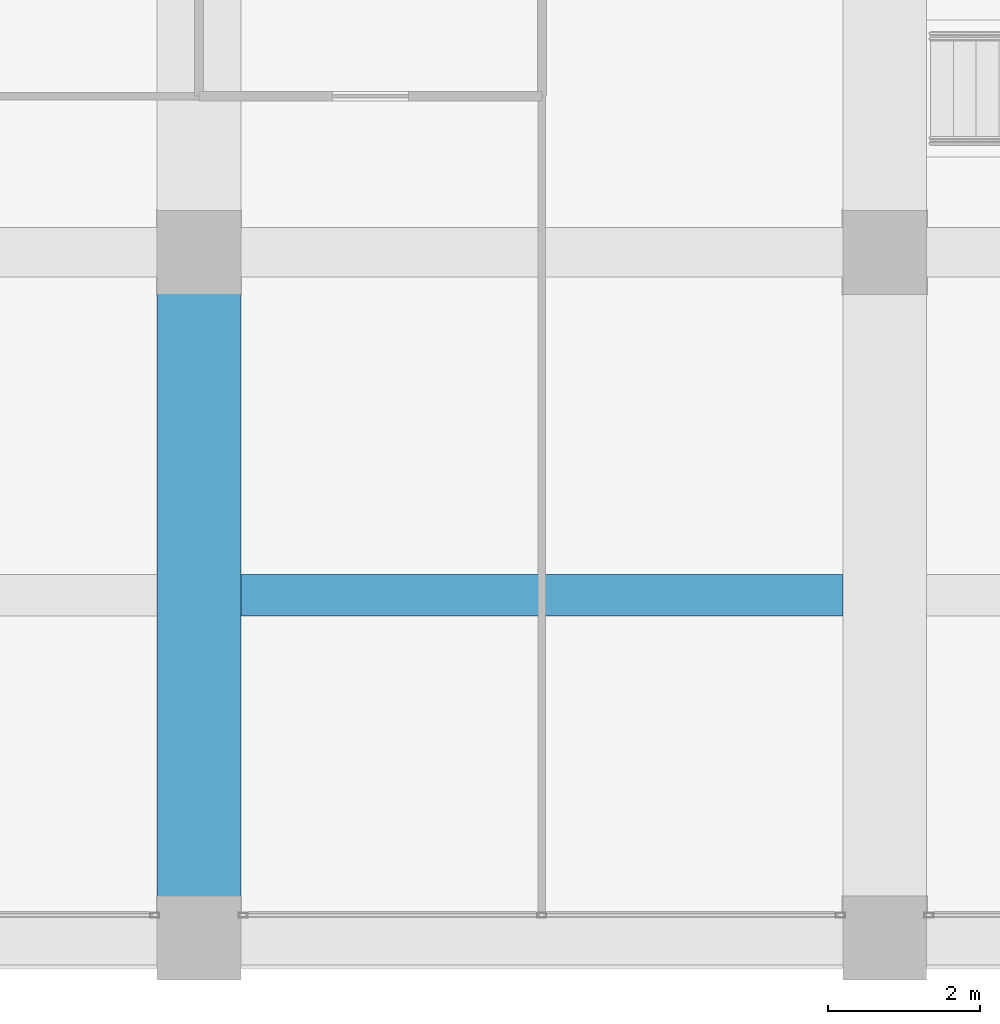
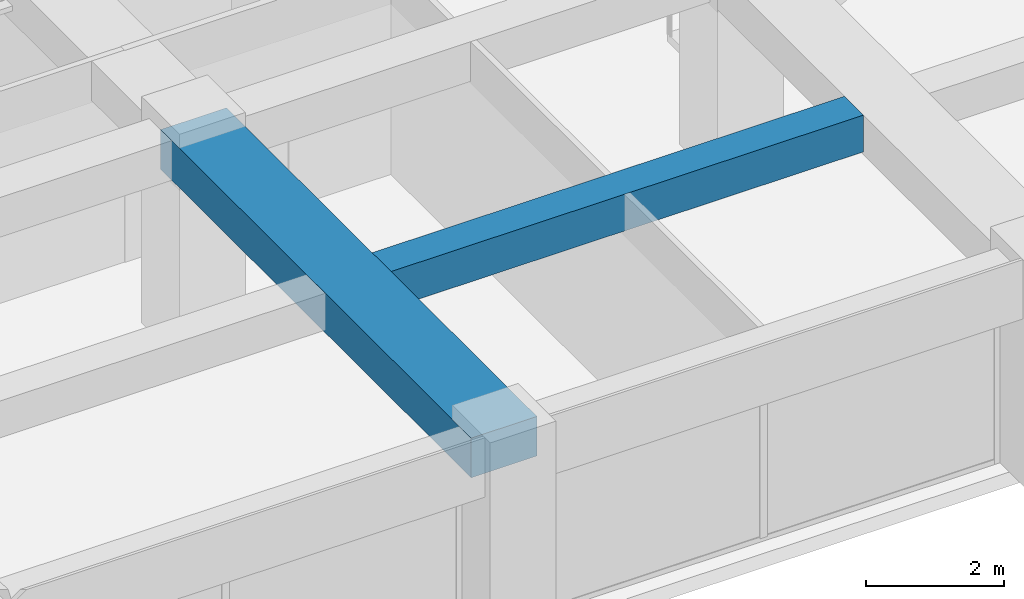
# One storey, part 10 of 44: 2 beams.
"""IFC4 building model written with IfcOpenShell, lengths in metres."""

from ifc_helpers import new_model, si_unit, direction, frame, origin, origin_2d, place, context, subcontext, project, spatial, rectangle, extrude, material, material_profile, profile_set, type_object, element, save


model = new_model("IFC4")

# Units and contexts
model_context = context("Model", 3, precision=1e-05, world=origin(), true_north=direction((0.0, 1.0)))
body_context = subcontext(model_context, "Body", "Model", "MODEL_VIEW")
ifc_project = project(units=[si_unit("LENGTHUNIT", "METRE"), si_unit("AREAUNIT", "SQUARE_METRE"), si_unit("VOLUMEUNIT", "CUBIC_METRE"), si_unit("PLANEANGLEUNIT", "RADIAN"), si_unit("MASSUNIT", "GRAM", prefix="KILO")], contexts=[model_context])

# Site, building, storey
site_placement = place(None, origin())
site = spatial("IfcSite", under=ifc_project, at=site_placement, CompositionType="ELEMENT")
building_placement = place(site_placement, origin())
building = spatial("IfcBuilding", under=site, at=building_placement, Name="Zorevar Civic Tower", CompositionType="ELEMENT")
storey_placement = place(building_placement, frame((0.0, 0.0, 251.39990234375)))
storey = spatial("IfcBuildingStorey", under=building, at=storey_placement, Name="L61", CompositionType="ELEMENT", Elevation=251.39990234375)

# Beams
ifc_material_1 = material(Name="Concrete C50/60", Category="concrete")
ifc_material_profile_1 = material_profile(ifc_material_1, rectangle(XDim=1.10009765625, YDim=0.699951171875, at=origin_2d()), Name="RC 1100x700")
ifc_profile_set_1 = profile_set([ifc_material_profile_1], Name="Concrete C50/60")
beam_type_1 = type_object("IfcBeamType", Name="Beam RC 1100x700", PredefinedType="BEAM", material=ifc_profile_set_1)
beam_1_placement = place(storey_placement, frame((27.0, 0.0, 3.400146484375), z_axis=(0.0, 1.0, 0.0), x_axis=(-1.0, 0.0, 0.0)))
element("IfcBeam", 1, at=beam_1_placement, inside=storey, type_object=beam_type_1, Name="Girder L62", PredefinedType="BEAM", context=body_context, shape_type="SweptSolid", body=[
    extrude(rectangle(XDim=1.10009765625, YDim=0.699951171875, at=origin_2d()), origin(), (0.0, 0.0, 1.0), 9.0),
])
ifc_material_2 = material(Name="Concrete C50/60", Category="concrete")
ifc_material_profile_2 = material_profile(ifc_material_2, rectangle(XDim=0.550048828125, YDim=0.64990234375, at=origin_2d()), Name="RC 550x650")
ifc_profile_set_2 = profile_set([ifc_material_profile_2], Name="Concrete C50/60")
beam_type_2 = type_object("IfcBeamType", Name="Beam RC 550x650", PredefinedType="BEAM", material=ifc_profile_set_2)
beam_2_placement = place(storey_placement, frame((27.550048828125, 4.5, 3.425048828125), z_axis=(1.0, 0.0, 0.0), x_axis=(0.0, 1.0, 0.0)))
element("IfcBeam", 2, at=beam_2_placement, inside=storey, type_object=beam_type_2, Name="Secondary beam L62", PredefinedType="BEAM", context=body_context, shape_type="SweptSolid", body=[
    extrude(rectangle(XDim=0.550048828125, YDim=0.64990234375, at=origin_2d()), origin(), (0.0, 0.0, 1.0), 7.89990234375),
])

save(model, "model.ifc")
